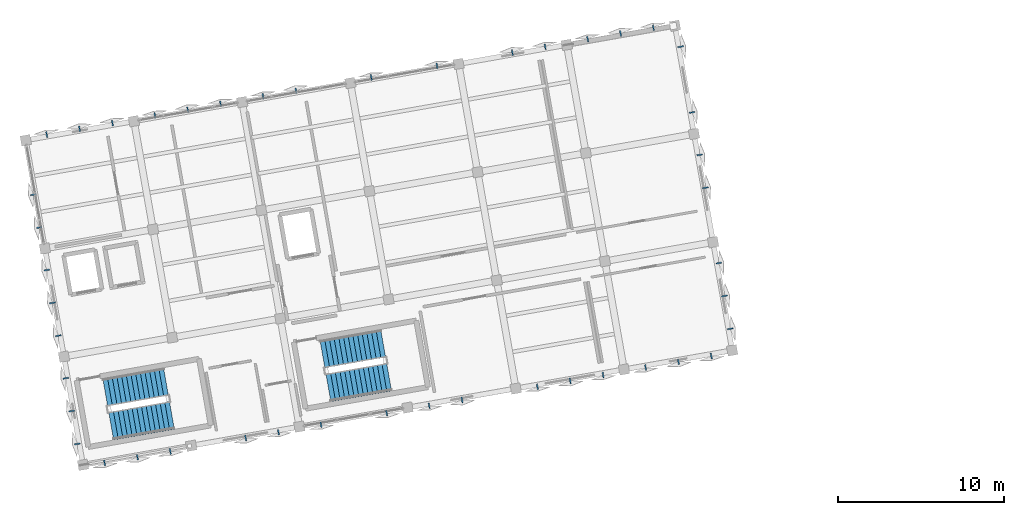
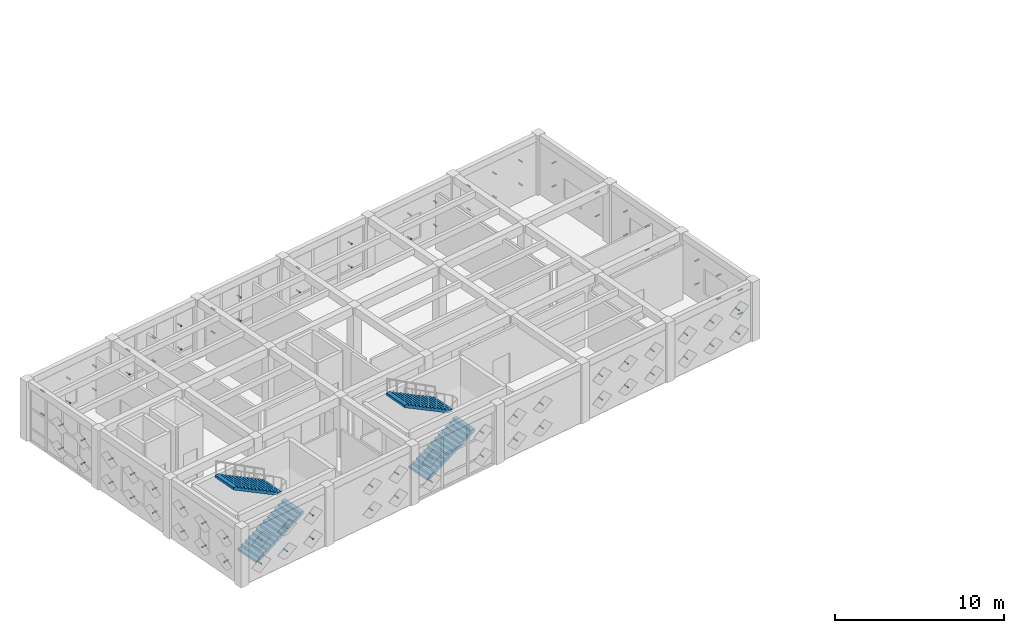
# One storey, part 24 of 29: 90 discrete accessories, 4 stair flights, 2 elements without a shape of their own.
"""IFC4 building model written with IfcOpenShell, lengths in metres."""

from ifc_helpers import new_model, si_unit, direction, frame, origin, origin_2d, place, context, subcontext, project, spatial, polyline, hollow_rectangle, outline, extrude, material, type_object, element, aggregate, save


model = new_model("IFC4")

# Units and contexts
model_context = context("Model", 3, precision=1e-05, world=origin(), true_north=direction((0.0, 1.0)))
body_context = subcontext(model_context, "Body", "Model", "MODEL_VIEW")
ifc_project = project(units=[si_unit("LENGTHUNIT", "METRE"), si_unit("AREAUNIT", "SQUARE_METRE"), si_unit("VOLUMEUNIT", "CUBIC_METRE"), si_unit("PLANEANGLEUNIT", "RADIAN"), si_unit("MASSUNIT", "GRAM", prefix="KILO")], contexts=[model_context])

# Site, building, storey
site_placement = place(None, origin())
site = spatial("IfcSite", under=ifc_project, at=site_placement, CompositionType="ELEMENT")
building_placement = place(site_placement, origin())
building = spatial("IfcBuilding", under=site, at=building_placement, Name="Kharisveld Research Institute", CompositionType="ELEMENT")
storey_placement = place(building_placement, frame((0.0, 0.0, 32.10009765625)))
storey = spatial("IfcBuildingStorey", under=building, at=storey_placement, Name="L07", CompositionType="ELEMENT", Elevation=32.10009765625)

# Stair, stair flights
ifc_material_1 = material(Name="Concrete C40/50", Category="concrete")
stair_type = type_object("IfcStairType", Name="ST_EXIT_170", PredefinedType="TWO_STRAIGHT_RUN_STAIR", material=ifc_material_1)
stair_1_placement = place(storey_placement, origin())
stair_1 = element("IfcStair", 1, at=stair_1_placement, inside=storey, type_object=stair_type, Name="STR:ST1:L07", PredefinedType="TWO_STRAIGHT_RUN_STAIR")
ifc_material_2 = material(Name="Concrete C40/50", Category="concrete")
stair_flight_type = type_object("IfcStairFlightType", Name="SF_RUN_170", PredefinedType="STRAIGHT", material=ifc_material_2)
stair_flight_1_placement = place(storey_placement, frame((6.891357421875, 37.339111328125, 0.0), z_axis=(0.0, 0.0, 1.0), x_axis=(0.984807753012, 0.173648177667, 0.0)))
stair_flight_1 = element("IfcStairFlight", 2, at=stair_flight_1_placement, type_object=stair_flight_type, Name="ST-01 flight 1", NumberOfRisers=14, NumberOfTreads=13, PredefinedType="STRAIGHT", RiserHeight=0.160714, TreadLength=0.285, context=body_context, shape_type="SweptSolid", body=[
    extrude(outline(polyline([(0.0, 0.0), (0.0, 0.16064453125), (0.284912109375, 0.16064453125), (0.284912109375, 0.321533203125), (0.570068359375, 0.321533203125), (0.570068359375, 0.482177734375), (0.85498046875, 0.482177734375), (0.85498046875, 0.642822265625), (1.139892578125, 0.642822265625), (1.139892578125, 0.803466796875), (1.425048828125, 0.803466796875), (1.425048828125, 0.96435546875), (1.7099609375, 0.96435546875), (1.7099609375, 1.125), (1.9951171875, 1.125), (1.9951171875, 1.28564453125), (2.280029296875, 1.28564453125), (2.280029296875, 1.446533203125), (2.56494140625, 1.446533203125), (2.56494140625, 1.607177734375), (2.85009765625, 1.607177734375), (2.85009765625, 1.767822265625), (3.135009765625, 1.767822265625), (3.135009765625, 1.928466796875), (3.419921875, 1.928466796875), (3.419921875, 2.08935546875), (3.705078125, 2.08935546875), (3.705078125, 2.25), (3.705078125, 1.917236328125), (0.30517578125, 0.0), (0.0, 0.0)])), frame((0.0, 0.85009765625, 0.0), z_axis=(0.0, -1.0, 0.0), x_axis=(1.0, 0.0, 0.0)), (0.0, 0.0, 1.0), 1.699951171875),
])
stair_flight_2_placement = place(storey_placement, frame((10.182373046875, 40.01123046875, 2.25), z_axis=(0.0, 0.0, 1.0), x_axis=(-0.984807753012, -0.173648177667, 0.0)))
stair_flight_2 = element("IfcStairFlight", 3, at=stair_flight_2_placement, type_object=stair_flight_type, Name="ST-01 flight 2", NumberOfRisers=14, NumberOfTreads=13, PredefinedType="STRAIGHT", RiserHeight=0.160714, TreadLength=0.285, context=body_context, shape_type="SweptSolid", body=[
    extrude(outline(polyline([(0.0, 0.0), (0.0, 0.16064453125), (0.284912109375, 0.16064453125), (0.284912109375, 0.321533203125), (0.570068359375, 0.321533203125), (0.570068359375, 0.482177734375), (0.85498046875, 0.482177734375), (0.85498046875, 0.642822265625), (1.139892578125, 0.642822265625), (1.139892578125, 0.803466796875), (1.425048828125, 0.803466796875), (1.425048828125, 0.96435546875), (1.7099609375, 0.96435546875), (1.7099609375, 1.125), (1.9951171875, 1.125), (1.9951171875, 1.28564453125), (2.280029296875, 1.28564453125), (2.280029296875, 1.446533203125), (2.56494140625, 1.446533203125), (2.56494140625, 1.607177734375), (2.85009765625, 1.607177734375), (2.85009765625, 1.767822265625), (3.135009765625, 1.767822265625), (3.135009765625, 1.928466796875), (3.419921875, 1.928466796875), (3.419921875, 2.08935546875), (3.705078125, 2.08935546875), (3.705078125, 2.25), (3.705078125, 1.917236328125), (0.30517578125, 0.0), (0.0, 0.0)])), frame((0.0, 0.85009765625, 0.0), z_axis=(0.0, -1.0, 0.0), x_axis=(1.0, 0.0, 0.0)), (0.0, 0.0, 1.0), 1.699951171875),
])
aggregate(stair_1, [stair_flight_1, stair_flight_2])

stair_2_placement = place(storey_placement, origin())
stair_2 = element("IfcStair", 4, at=stair_2_placement, inside=storey, type_object=stair_type, Name="STR:ST2:L07", PredefinedType="TWO_STRAIGHT_RUN_STAIR")
stair_flight_3_placement = place(storey_placement, frame((19.93994140625, 39.639892578125, 0.0), z_axis=(0.0, 0.0, 1.0), x_axis=(0.984807753012, 0.173648177667, 0.0)))
stair_flight_3 = element("IfcStairFlight", 5, at=stair_flight_3_placement, type_object=stair_flight_type, Name="ST-02 flight 1", NumberOfRisers=14, NumberOfTreads=13, PredefinedType="STRAIGHT", RiserHeight=0.160714, TreadLength=0.285, context=body_context, shape_type="SweptSolid", body=[
    extrude(outline(polyline([(0.0, 0.0), (0.0, 0.16064453125), (0.284912109375, 0.16064453125), (0.284912109375, 0.321533203125), (0.570068359375, 0.321533203125), (0.570068359375, 0.482177734375), (0.85498046875, 0.482177734375), (0.85498046875, 0.642822265625), (1.139892578125, 0.642822265625), (1.139892578125, 0.803466796875), (1.425048828125, 0.803466796875), (1.425048828125, 0.96435546875), (1.7099609375, 0.96435546875), (1.7099609375, 1.125), (1.9951171875, 1.125), (1.9951171875, 1.28564453125), (2.280029296875, 1.28564453125), (2.280029296875, 1.446533203125), (2.56494140625, 1.446533203125), (2.56494140625, 1.607177734375), (2.85009765625, 1.607177734375), (2.85009765625, 1.767822265625), (3.135009765625, 1.767822265625), (3.135009765625, 1.928466796875), (3.419921875, 1.928466796875), (3.419921875, 2.08935546875), (3.705078125, 2.08935546875), (3.705078125, 2.25), (3.705078125, 1.917236328125), (0.30517578125, 0.0), (0.0, 0.0)])), frame((0.0, 0.85009765625, 0.0), z_axis=(0.0, -1.0, 0.0), x_axis=(1.0, 0.0, 0.0)), (0.0, 0.0, 1.0), 1.699951171875),
])
stair_flight_4_placement = place(storey_placement, frame((23.23095703125, 42.31201171875, 2.25), z_axis=(0.0, 0.0, 1.0), x_axis=(-0.984807753012, -0.173648177667, 0.0)))
stair_flight_4 = element("IfcStairFlight", 6, at=stair_flight_4_placement, type_object=stair_flight_type, Name="ST-02 flight 2", NumberOfRisers=14, NumberOfTreads=13, PredefinedType="STRAIGHT", RiserHeight=0.160714, TreadLength=0.285, context=body_context, shape_type="SweptSolid", body=[
    extrude(outline(polyline([(0.0, 0.0), (0.0, 0.16064453125), (0.284912109375, 0.16064453125), (0.284912109375, 0.321533203125), (0.570068359375, 0.321533203125), (0.570068359375, 0.482177734375), (0.85498046875, 0.482177734375), (0.85498046875, 0.642822265625), (1.139892578125, 0.642822265625), (1.139892578125, 0.803466796875), (1.425048828125, 0.803466796875), (1.425048828125, 0.96435546875), (1.7099609375, 0.96435546875), (1.7099609375, 1.125), (1.9951171875, 1.125), (1.9951171875, 1.28564453125), (2.280029296875, 1.28564453125), (2.280029296875, 1.446533203125), (2.56494140625, 1.446533203125), (2.56494140625, 1.607177734375), (2.85009765625, 1.607177734375), (2.85009765625, 1.767822265625), (3.135009765625, 1.767822265625), (3.135009765625, 1.928466796875), (3.419921875, 1.928466796875), (3.419921875, 2.08935546875), (3.705078125, 2.08935546875), (3.705078125, 2.25), (3.705078125, 1.917236328125), (0.30517578125, 0.0), (0.0, 0.0)])), frame((0.0, 0.85009765625, 0.0), z_axis=(0.0, -1.0, 0.0), x_axis=(1.0, 0.0, 0.0)), (0.0, 0.0, 1.0), 1.699951171875),
])
aggregate(stair_2, [stair_flight_3, stair_flight_4])

# Discrete accessories
ifc_material_3 = material(Name="Steel S355JR", Category="steel")
discrete_accessory_type = type_object("IfcDiscreteAccessoryType", Name="BKT_ST_260", PredefinedType="BRACKET")
for number, where, z_axis, x_axis, name in (
    (7, (5.033935546875, 36.29736328125, 1.0498046875), (-0.984804615622, -0.173665969752, 0.0), (0.173665969752, -0.984804615622, 0.0), "BKT-SHD:V1:L07:W0:S0C0"),
    (8, (5.033935546875, 36.29736328125, 2.75), (-0.984804615622, -0.173665969752, 0.0), (0.173665969752, -0.984804615622, 0.0), "BKT-SHD:V1:L07:W0:S0C1"),
    (9, (4.68603515625, 38.270263671875, 1.0498046875), (-0.984804615622, -0.173665969752, 0.0), (0.173665969752, -0.984804615622, 0.0), "BKT-SHD:V1:L07:W0:S1C0"),
    (10, (4.68603515625, 38.270263671875, 2.75), (-0.984804615622, -0.173665969752, 0.0), (0.173665969752, -0.984804615622, 0.0), "BKT-SHD:V1:L07:W0:S1C1"),
    (11, (4.338134765625, 40.2431640625, 1.0498046875), (-0.984804615622, -0.173665969752, 0.0), (0.173665969752, -0.984804615622, 0.0), "BKT-SHD:V1:L07:W0:S2C0"),
    (12, (4.338134765625, 40.2431640625, 2.75), (-0.984804615622, -0.173665969752, 0.0), (0.173665969752, -0.984804615622, 0.0), "BKT-SHD:V1:L07:W0:S2C1"),
    (13, (3.887939453125, 42.797119140625, 1.0498046875), (-0.984804615622, -0.173665969752, 0.0), (0.173665969752, -0.984804615622, 0.0), "BKT-SHD:V1:L07:W1:S0C0"),
    (14, (3.887939453125, 42.797119140625, 2.75), (-0.984804615622, -0.173665969752, 0.0), (0.173665969752, -0.984804615622, 0.0), "BKT-SHD:V1:L07:W1:S0C1"),
    (15, (3.5400390625, 44.77001953125, 1.0498046875), (-0.984804615622, -0.173665969752, 0.0), (0.173665969752, -0.984804615622, 0.0), "BKT-SHD:V1:L07:W1:S1C0"),
    (16, (3.5400390625, 44.77001953125, 2.75), (-0.984804615622, -0.173665969752, 0.0), (0.173665969752, -0.984804615622, 0.0), "BKT-SHD:V1:L07:W1:S1C1"),
    (17, (3.192138671875, 46.742919921875, 1.0498046875), (-0.984804615622, -0.173665969752, 0.0), (0.173665969752, -0.984804615622, 0.0), "BKT-SHD:V1:L07:W1:S2C0"),
    (18, (3.192138671875, 46.742919921875, 2.75), (-0.984804615622, -0.173665969752, 0.0), (0.173665969752, -0.984804615622, 0.0), "BKT-SHD:V1:L07:W1:S2C1"),
    (19, (2.74169921875, 49.296875, 1.0498046875), (-0.984804615622, -0.173665969752, 0.0), (0.173665969752, -0.984804615622, 0.0), "BKT-SHD:V1:L07:W2:S0C0"),
    (20, (2.74169921875, 49.296875, 2.75), (-0.984804615622, -0.173665969752, 0.0), (0.173665969752, -0.984804615622, 0.0), "BKT-SHD:V1:L07:W2:S0C1"),
):
    element("IfcDiscreteAccessory", number, at=place(storey_placement, frame(where, z_axis=z_axis, x_axis=x_axis)), inside=storey, type_object=discrete_accessory_type, material=ifc_material_3, Name=name, ObjectType="BRACKET", PredefinedType="BRACKET", context=body_context, shape_type="SweptSolid", body=[
        extrude(hollow_rectangle(XDim=0.080078125, YDim=0.080078125, WallThickness=0.0048828125, at=origin_2d()), origin(), (0.0, 0.0, 1.0), 0.35009765625),
    ])
for number, where, z_axis, x_axis, name in (
    (21, (2.393798828125, 51.269775390625, 1.0498046875), (-0.984783558818, -0.173785333909, 0.0), (0.173785333909, -0.984783558818, 0.0), "BKT-SHD:V1:L07:W2:S1C0"),
    (22, (2.393798828125, 51.269775390625, 2.75), (-0.984783558818, -0.173785333909, 0.0), (0.173785333909, -0.984783558818, 0.0), "BKT-SHD:V1:L07:W2:S1C1"),
):
    element("IfcDiscreteAccessory", number, at=place(storey_placement, frame(where, z_axis=z_axis, x_axis=x_axis)), inside=storey, type_object=discrete_accessory_type, material=ifc_material_3, Name=name, ObjectType="BRACKET", PredefinedType="BRACKET", context=body_context, shape_type="SweptSolid", body=[
        extrude(hollow_rectangle(XDim=0.080078125, YDim=0.080078125, WallThickness=0.0048828125, at=origin_2d()), origin(), (0.0, 0.0, 1.0), 0.349853515625),
    ])
for number, where, z_axis, x_axis, name in (
    (23, (3.049072265625, 54.67529296875, 1.0498046875), (-0.173665969752, 0.984804615622, 0.0), (-0.984804615622, -0.173665969752, 0.0), "BKT-SHD:V1:L07:N0:S0C0"),
    (24, (3.049072265625, 54.67529296875, 2.75), (-0.173665969752, 0.984804615622, 0.0), (-0.984804615622, -0.173665969752, 0.0), "BKT-SHD:V1:L07:N0:S0C1"),
    (25, (5.02197265625, 55.023193359375, 1.0498046875), (-0.173665969752, 0.984804615622, 0.0), (-0.984804615622, -0.173665969752, 0.0), "BKT-SHD:V1:L07:N0:S1C0"),
    (26, (5.02197265625, 55.023193359375, 2.75), (-0.173665969752, 0.984804615622, 0.0), (-0.984804615622, -0.173665969752, 0.0), "BKT-SHD:V1:L07:N0:S1C1"),
    (27, (6.994873046875, 55.37109375, 1.0498046875), (-0.173665969752, 0.984804615622, 0.0), (-0.984804615622, -0.173665969752, 0.0), "BKT-SHD:V1:L07:N0:S2C0"),
    (28, (6.994873046875, 55.37109375, 2.75), (-0.173665969752, 0.984804615622, 0.0), (-0.984804615622, -0.173665969752, 0.0), "BKT-SHD:V1:L07:N0:S2C1"),
    (29, (9.548828125, 55.8212890625, 1.0498046875), (-0.173665969752, 0.984804615622, 0.0), (-0.984804615622, -0.173665969752, 0.0), "BKT-SHD:V1:L07:N1:S0C0"),
    (30, (9.548828125, 55.8212890625, 2.75), (-0.173665969752, 0.984804615622, 0.0), (-0.984804615622, -0.173665969752, 0.0), "BKT-SHD:V1:L07:N1:S0C1"),
    (31, (11.521728515625, 56.169189453125, 1.0498046875), (-0.173665969752, 0.984804615622, 0.0), (-0.984804615622, -0.173665969752, 0.0), "BKT-SHD:V1:L07:N1:S1C0"),
    (32, (11.521728515625, 56.169189453125, 2.75), (-0.173665969752, 0.984804615622, 0.0), (-0.984804615622, -0.173665969752, 0.0), "BKT-SHD:V1:L07:N1:S1C1"),
    (33, (13.49462890625, 56.51708984375, 1.0498046875), (-0.173665969752, 0.984804615622, 0.0), (-0.984804615622, -0.173665969752, 0.0), "BKT-SHD:V1:L07:N1:S2C0"),
    (34, (13.49462890625, 56.51708984375, 2.75), (-0.173665969752, 0.984804615622, 0.0), (-0.984804615622, -0.173665969752, 0.0), "BKT-SHD:V1:L07:N1:S2C1"),
):
    element("IfcDiscreteAccessory", number, at=place(storey_placement, frame(where, z_axis=z_axis, x_axis=x_axis)), inside=storey, type_object=discrete_accessory_type, material=ifc_material_3, Name=name, ObjectType="BRACKET", PredefinedType="BRACKET", context=body_context, shape_type="SweptSolid", body=[
        extrude(hollow_rectangle(XDim=0.080078125, YDim=0.080078125, WallThickness=0.0048828125, at=origin_2d()), origin(), (0.0, 0.0, 1.0), 0.35009765625),
    ])
for number, where, z_axis, x_axis, name in (
    (35, (16.048583984375, 56.967529296875, 1.0498046875), (-0.173785333909, 0.984783558818, 0.0), (-0.984783558818, -0.173785333909, 0.0), "BKT-SHD:V1:L07:N2:S0C0"),
    (36, (16.048583984375, 56.967529296875, 2.75), (-0.173785333909, 0.984783558818, 0.0), (-0.984783558818, -0.173785333909, 0.0), "BKT-SHD:V1:L07:N2:S0C1"),
):
    element("IfcDiscreteAccessory", number, at=place(storey_placement, frame(where, z_axis=z_axis, x_axis=x_axis)), inside=storey, type_object=discrete_accessory_type, material=ifc_material_3, Name=name, ObjectType="BRACKET", PredefinedType="BRACKET", context=body_context, shape_type="SweptSolid", body=[
        extrude(hollow_rectangle(XDim=0.080078125, YDim=0.080078125, WallThickness=0.0048828125, at=origin_2d()), origin(), (0.0, 0.0, 1.0), 0.349853515625),
    ])
for number, where, z_axis, x_axis, name in (
    (37, (18.021484375, 57.315185546875, 1.0498046875), (-0.173665969752, 0.984804615622, 0.0), (-0.984804615622, -0.173665969752, 0.0), "BKT-SHD:V1:L07:N2:S1C0"),
    (38, (18.021484375, 57.315185546875, 2.75), (-0.173665969752, 0.984804615622, 0.0), (-0.984804615622, -0.173665969752, 0.0), "BKT-SHD:V1:L07:N2:S1C1"),
    (39, (22.54833984375, 58.113525390625, 1.0498046875), (-0.173665969752, 0.984804615622, 0.0), (-0.984804615622, -0.173665969752, 0.0), "BKT-SHD:V1:L07:N3:S0C0"),
    (40, (22.54833984375, 58.113525390625, 2.75), (-0.173665969752, 0.984804615622, 0.0), (-0.984804615622, -0.173665969752, 0.0), "BKT-SHD:V1:L07:N3:S0C1"),
    (41, (26.494140625, 58.809326171875, 1.0498046875), (-0.173665969752, 0.984804615622, 0.0), (-0.984804615622, -0.173665969752, 0.0), "BKT-SHD:V1:L07:N3:S2C0"),
    (42, (26.494140625, 58.809326171875, 2.75), (-0.173665969752, 0.984804615622, 0.0), (-0.984804615622, -0.173665969752, 0.0), "BKT-SHD:V1:L07:N3:S2C1"),
    (43, (31.02099609375, 59.607421875, 1.0498046875), (-0.173665969752, 0.984804615622, 0.0), (-0.984804615622, -0.173665969752, 0.0), "BKT-SHD:V1:L07:N4:S1C0"),
    (44, (31.02099609375, 59.607421875, 2.75), (-0.173665969752, 0.984804615622, 0.0), (-0.984804615622, -0.173665969752, 0.0), "BKT-SHD:V1:L07:N4:S1C1"),
    (45, (32.993896484375, 59.955322265625, 1.0498046875), (-0.173665969752, 0.984804615622, 0.0), (-0.984804615622, -0.173665969752, 0.0), "BKT-SHD:V1:L07:N4:S2C0"),
    (46, (32.993896484375, 59.955322265625, 2.75), (-0.173665969752, 0.984804615622, 0.0), (-0.984804615622, -0.173665969752, 0.0), "BKT-SHD:V1:L07:N4:S2C1"),
):
    element("IfcDiscreteAccessory", number, at=place(storey_placement, frame(where, z_axis=z_axis, x_axis=x_axis)), inside=storey, type_object=discrete_accessory_type, material=ifc_material_3, Name=name, ObjectType="BRACKET", PredefinedType="BRACKET", context=body_context, shape_type="SweptSolid", body=[
        extrude(hollow_rectangle(XDim=0.080078125, YDim=0.080078125, WallThickness=0.0048828125, at=origin_2d()), origin(), (0.0, 0.0, 1.0), 0.35009765625),
    ])
for number, where, z_axis, x_axis, name in (
    (47, (35.5478515625, 60.40576171875, 1.0498046875), (-0.173785333909, 0.984783558818, 0.0), (-0.984783558818, -0.173785333909, 0.0), "BKT-SHD:V1:L07:N5:S0C0"),
    (48, (35.5478515625, 60.40576171875, 2.75), (-0.173785333909, 0.984783558818, 0.0), (-0.984783558818, -0.173785333909, 0.0), "BKT-SHD:V1:L07:N5:S0C1"),
):
    element("IfcDiscreteAccessory", number, at=place(storey_placement, frame(where, z_axis=z_axis, x_axis=x_axis)), inside=storey, type_object=discrete_accessory_type, material=ifc_material_3, Name=name, ObjectType="BRACKET", PredefinedType="BRACKET", context=body_context, shape_type="SweptSolid", body=[
        extrude(hollow_rectangle(XDim=0.080078125, YDim=0.080078125, WallThickness=0.0048828125, at=origin_2d()), origin(), (0.0, 0.0, 1.0), 0.349853515625),
    ])
for number, where, z_axis, x_axis, name in (
    (49, (37.520751953125, 60.75341796875, 1.0498046875), (-0.173665969752, 0.984804615622, 0.0), (-0.984804615622, -0.173665969752, 0.0), "BKT-SHD:V1:L07:N5:S1C0"),
    (50, (37.520751953125, 60.75341796875, 2.75), (-0.173665969752, 0.984804615622, 0.0), (-0.984804615622, -0.173665969752, 0.0), "BKT-SHD:V1:L07:N5:S1C1"),
    (51, (39.49365234375, 61.101318359375, 1.0498046875), (-0.173665969752, 0.984804615622, 0.0), (-0.984804615622, -0.173665969752, 0.0), "BKT-SHD:V1:L07:N5:S2C0"),
    (52, (39.49365234375, 61.101318359375, 2.75), (-0.173665969752, 0.984804615622, 0.0), (-0.984804615622, -0.173665969752, 0.0), "BKT-SHD:V1:L07:N5:S2C1"),
    (53, (40.92626953125, 60.098388671875, 1.0498046875), (0.984923681133, 0.172989428414, 0.0), (-0.172989428414, 0.984923681133, 0.0), "BKT-SHD:V1:L07:E3:S0C0"),
    (54, (40.92626953125, 60.098388671875, 2.75), (0.984923681133, 0.172989428414, 0.0), (-0.172989428414, 0.984923681133, 0.0), "BKT-SHD:V1:L07:E3:S0C1"),
):
    element("IfcDiscreteAccessory", number, at=place(storey_placement, frame(where, z_axis=z_axis, x_axis=x_axis)), inside=storey, type_object=discrete_accessory_type, material=ifc_material_3, Name=name, ObjectType="BRACKET", PredefinedType="BRACKET", context=body_context, shape_type="SweptSolid", body=[
        extrude(hollow_rectangle(XDim=0.080078125, YDim=0.080078125, WallThickness=0.0048828125, at=origin_2d()), origin(), (0.0, 0.0, 1.0), 0.35009765625),
    ])
for number, where, z_axis, x_axis, name in (
    (55, (41.6220703125, 56.152587890625, 1.0498046875), (0.984902785538, 0.173108356353, 0.0), (-0.173108356353, 0.984902785538, 0.0), "BKT-SHD:V1:L07:E3:S2C0"),
    (56, (41.6220703125, 56.152587890625, 2.75), (0.984902785538, 0.173108356353, 0.0), (-0.173108356353, 0.984902785538, 0.0), "BKT-SHD:V1:L07:E3:S2C1"),
):
    element("IfcDiscreteAccessory", number, at=place(storey_placement, frame(where, z_axis=z_axis, x_axis=x_axis)), inside=storey, type_object=discrete_accessory_type, material=ifc_material_3, Name=name, ObjectType="BRACKET", PredefinedType="BRACKET", context=body_context, shape_type="SweptSolid", body=[
        extrude(hollow_rectangle(XDim=0.080078125, YDim=0.080078125, WallThickness=0.0048828125, at=origin_2d()), origin(), (0.0, 0.0, 1.0), 0.349853515625),
    ])
for number, where, z_axis, x_axis, name in (
    (57, (42.072265625, 53.5986328125, 1.0498046875), (0.984804615622, 0.173665969752, 0.0), (-0.173665969752, 0.984804615622, 0.0), "BKT-SHD:V1:L07:E2:S0C0"),
    (58, (42.072265625, 53.5986328125, 2.75), (0.984804615622, 0.173665969752, 0.0), (-0.173665969752, 0.984804615622, 0.0), "BKT-SHD:V1:L07:E2:S0C1"),
    (59, (42.420166015625, 51.625732421875, 1.0498046875), (0.984804615622, 0.173665969752, 0.0), (-0.173665969752, 0.984804615622, 0.0), "BKT-SHD:V1:L07:E2:S1C0"),
    (60, (42.420166015625, 51.625732421875, 2.75), (0.984804615622, 0.173665969752, 0.0), (-0.173665969752, 0.984804615622, 0.0), "BKT-SHD:V1:L07:E2:S1C1"),
):
    element("IfcDiscreteAccessory", number, at=place(storey_placement, frame(where, z_axis=z_axis, x_axis=x_axis)), inside=storey, type_object=discrete_accessory_type, material=ifc_material_3, Name=name, ObjectType="BRACKET", PredefinedType="BRACKET", context=body_context, shape_type="SweptSolid", body=[
        extrude(hollow_rectangle(XDim=0.080078125, YDim=0.080078125, WallThickness=0.0048828125, at=origin_2d()), origin(), (0.0, 0.0, 1.0), 0.35009765625),
    ])
for number, where, z_axis, x_axis, name in (
    (61, (43.218505859375, 47.098876953125, 1.0498046875), (0.984783558818, 0.173785333909, 0.0), (-0.173785333909, 0.984783558818, 0.0), "BKT-SHD:V1:L07:E1:S0C0"),
    (62, (43.218505859375, 47.098876953125, 2.75), (0.984783558818, 0.173785333909, 0.0), (-0.173785333909, 0.984783558818, 0.0), "BKT-SHD:V1:L07:E1:S0C1"),
):
    element("IfcDiscreteAccessory", number, at=place(storey_placement, frame(where, z_axis=z_axis, x_axis=x_axis)), inside=storey, type_object=discrete_accessory_type, material=ifc_material_3, Name=name, ObjectType="BRACKET", PredefinedType="BRACKET", context=body_context, shape_type="SweptSolid", body=[
        extrude(hollow_rectangle(XDim=0.080078125, YDim=0.080078125, WallThickness=0.0048828125, at=origin_2d()), origin(), (0.0, 0.0, 1.0), 0.349853515625),
    ])
for number, where, z_axis, x_axis, name in (
    (63, (43.566162109375, 45.1259765625, 1.0498046875), (0.984804615622, 0.173665969752, 0.0), (-0.173665969752, 0.984804615622, 0.0), "BKT-SHD:V1:L07:E1:S1C0"),
    (64, (43.566162109375, 45.1259765625, 2.75), (0.984804615622, 0.173665969752, 0.0), (-0.173665969752, 0.984804615622, 0.0), "BKT-SHD:V1:L07:E1:S1C1"),
    (65, (43.9140625, 43.153076171875, 1.0498046875), (0.984804615622, 0.173665969752, 0.0), (-0.173665969752, 0.984804615622, 0.0), "BKT-SHD:V1:L07:E1:S2C0"),
    (66, (43.9140625, 43.153076171875, 2.75), (0.984804615622, 0.173665969752, 0.0), (-0.173665969752, 0.984804615622, 0.0), "BKT-SHD:V1:L07:E1:S2C1"),
    (67, (42.910888671875, 41.720458984375, 1.0498046875), (0.173665969752, -0.984804615622, 0.0), (0.984804615622, 0.173665969752, 0.0), "BKT-SHD:V1:L07:S6:S0C0"),
    (68, (42.910888671875, 41.720458984375, 2.75), (0.173665969752, -0.984804615622, 0.0), (0.984804615622, 0.173665969752, 0.0), "BKT-SHD:V1:L07:S6:S0C1"),
    (69, (40.93798828125, 41.37255859375, 1.0498046875), (0.173665969752, -0.984804615622, 0.0), (0.984804615622, 0.173665969752, 0.0), "BKT-SHD:V1:L07:S6:S1C0"),
    (70, (40.93798828125, 41.37255859375, 2.75), (0.173665969752, -0.984804615622, 0.0), (0.984804615622, 0.173665969752, 0.0), "BKT-SHD:V1:L07:S6:S1C1"),
    (71, (38.965087890625, 41.024658203125, 1.0498046875), (0.173665969752, -0.984804615622, 0.0), (0.984804615622, 0.173665969752, 0.0), "BKT-SHD:V1:L07:S6:S2C0"),
    (72, (38.965087890625, 41.024658203125, 2.75), (0.173665969752, -0.984804615622, 0.0), (0.984804615622, 0.173665969752, 0.0), "BKT-SHD:V1:L07:S6:S2C1"),
):
    element("IfcDiscreteAccessory", number, at=place(storey_placement, frame(where, z_axis=z_axis, x_axis=x_axis)), inside=storey, type_object=discrete_accessory_type, material=ifc_material_3, Name=name, ObjectType="BRACKET", PredefinedType="BRACKET", context=body_context, shape_type="SweptSolid", body=[
        extrude(hollow_rectangle(XDim=0.080078125, YDim=0.080078125, WallThickness=0.0048828125, at=origin_2d()), origin(), (0.0, 0.0, 1.0), 0.35009765625),
    ])
for number, where, z_axis, x_axis, name in (
    (73, (36.411376953125, 40.57421875, 1.0498046875), (0.173785333909, -0.984783558818, 0.0), (0.984783558818, 0.173785333909, 0.0), "BKT-SHD:V1:L07:S5:S0C0"),
    (74, (36.411376953125, 40.57421875, 2.75), (0.173785333909, -0.984783558818, 0.0), (0.984783558818, 0.173785333909, 0.0), "BKT-SHD:V1:L07:S5:S0C1"),
    (75, (34.4384765625, 40.226318359375, 1.0498046875), (0.173785333909, -0.984783558818, 0.0), (0.984783558818, 0.173785333909, 0.0), "BKT-SHD:V1:L07:S5:S1C0"),
    (76, (34.4384765625, 40.226318359375, 2.75), (0.173785333909, -0.984783558818, 0.0), (0.984783558818, 0.173785333909, 0.0), "BKT-SHD:V1:L07:S5:S1C1"),
):
    element("IfcDiscreteAccessory", number, at=place(storey_placement, frame(where, z_axis=z_axis, x_axis=x_axis)), inside=storey, type_object=discrete_accessory_type, material=ifc_material_3, Name=name, ObjectType="BRACKET", PredefinedType="BRACKET", context=body_context, shape_type="SweptSolid", body=[
        extrude(hollow_rectangle(XDim=0.080078125, YDim=0.080078125, WallThickness=0.0048828125, at=origin_2d()), origin(), (0.0, 0.0, 1.0), 0.349853515625),
    ])
for number, where, z_axis, x_axis, name in (
    (77, (32.465576171875, 39.878662109375, 1.0498046875), (0.173665969752, -0.984804615622, 0.0), (0.984804615622, 0.173665969752, 0.0), "BKT-SHD:V1:L07:S5:S2C0"),
    (78, (32.465576171875, 39.878662109375, 2.75), (0.173665969752, -0.984804615622, 0.0), (0.984804615622, 0.173665969752, 0.0), "BKT-SHD:V1:L07:S5:S2C1"),
    (79, (27.938720703125, 39.080322265625, 1.0498046875), (0.173665969752, -0.984804615622, 0.0), (0.984804615622, 0.173665969752, 0.0), "BKT-SHD:V1:L07:S4:S1C0"),
    (80, (27.938720703125, 39.080322265625, 2.75), (0.173665969752, -0.984804615622, 0.0), (0.984804615622, 0.173665969752, 0.0), "BKT-SHD:V1:L07:S4:S1C1"),
    (81, (25.9658203125, 38.732421875, 1.0498046875), (0.173665969752, -0.984804615622, 0.0), (0.984804615622, 0.173665969752, 0.0), "BKT-SHD:V1:L07:S4:S2C0"),
    (82, (25.9658203125, 38.732421875, 2.75), (0.173665969752, -0.984804615622, 0.0), (0.984804615622, 0.173665969752, 0.0), "BKT-SHD:V1:L07:S4:S2C1"),
    (83, (23.411865234375, 38.2822265625, 1.0498046875), (0.173665969752, -0.984804615622, 0.0), (0.984804615622, 0.173665969752, 0.0), "BKT-SHD:V1:L07:S3:S0C0"),
    (84, (23.411865234375, 38.2822265625, 2.75), (0.173665969752, -0.984804615622, 0.0), (0.984804615622, 0.173665969752, 0.0), "BKT-SHD:V1:L07:S3:S0C1"),
    (85, (19.466064453125, 37.58642578125, 1.0498046875), (0.173665969752, -0.984804615622, 0.0), (0.984804615622, 0.173665969752, 0.0), "BKT-SHD:V1:L07:S3:S2C0"),
    (86, (19.466064453125, 37.58642578125, 2.75), (0.173665969752, -0.984804615622, 0.0), (0.984804615622, 0.173665969752, 0.0), "BKT-SHD:V1:L07:S3:S2C1"),
):
    element("IfcDiscreteAccessory", number, at=place(storey_placement, frame(where, z_axis=z_axis, x_axis=x_axis)), inside=storey, type_object=discrete_accessory_type, material=ifc_material_3, Name=name, ObjectType="BRACKET", PredefinedType="BRACKET", context=body_context, shape_type="SweptSolid", body=[
        extrude(hollow_rectangle(XDim=0.080078125, YDim=0.080078125, WallThickness=0.0048828125, at=origin_2d()), origin(), (0.0, 0.0, 1.0), 0.35009765625),
    ])
for number, where, z_axis, x_axis, name in (
    (87, (16.912109375, 37.135986328125, 1.0498046875), (0.173785333909, -0.984783558818, 0.0), (0.984783558818, 0.173785333909, 0.0), "BKT-SHD:V1:L07:S2:S0C0"),
    (88, (16.912109375, 37.135986328125, 2.75), (0.173785333909, -0.984783558818, 0.0), (0.984783558818, 0.173785333909, 0.0), "BKT-SHD:V1:L07:S2:S0C1"),
    (89, (14.939208984375, 36.7880859375, 1.0498046875), (0.173785333909, -0.984783558818, 0.0), (0.984783558818, 0.173785333909, 0.0), "BKT-SHD:V1:L07:S2:S1C0"),
    (90, (14.939208984375, 36.7880859375, 2.75), (0.173785333909, -0.984783558818, 0.0), (0.984783558818, 0.173785333909, 0.0), "BKT-SHD:V1:L07:S2:S1C1"),
):
    element("IfcDiscreteAccessory", number, at=place(storey_placement, frame(where, z_axis=z_axis, x_axis=x_axis)), inside=storey, type_object=discrete_accessory_type, material=ifc_material_3, Name=name, ObjectType="BRACKET", PredefinedType="BRACKET", context=body_context, shape_type="SweptSolid", body=[
        extrude(hollow_rectangle(XDim=0.080078125, YDim=0.080078125, WallThickness=0.0048828125, at=origin_2d()), origin(), (0.0, 0.0, 1.0), 0.349853515625),
    ])
for number, where, z_axis, x_axis, name in (
    (91, (10.412353515625, 35.989990234375, 1.0498046875), (0.173665969752, -0.984804615622, 0.0), (0.984804615622, 0.173665969752, 0.0), "BKT-SHD:V1:L07:S1:S0C0"),
    (92, (10.412353515625, 35.989990234375, 2.75), (0.173665969752, -0.984804615622, 0.0), (0.984804615622, 0.173665969752, 0.0), "BKT-SHD:V1:L07:S1:S0C1"),
    (93, (8.439453125, 35.64208984375, 1.0498046875), (0.173665969752, -0.984804615622, 0.0), (0.984804615622, 0.173665969752, 0.0), "BKT-SHD:V1:L07:S1:S1C0"),
    (94, (8.439453125, 35.64208984375, 2.75), (0.173665969752, -0.984804615622, 0.0), (0.984804615622, 0.173665969752, 0.0), "BKT-SHD:V1:L07:S1:S1C1"),
    (95, (6.466552734375, 35.294189453125, 1.0498046875), (0.173665969752, -0.984804615622, 0.0), (0.984804615622, 0.173665969752, 0.0), "BKT-SHD:V1:L07:S1:S2C0"),
    (96, (6.466552734375, 35.294189453125, 2.75), (0.173665969752, -0.984804615622, 0.0), (0.984804615622, 0.173665969752, 0.0), "BKT-SHD:V1:L07:S1:S2C1"),
):
    element("IfcDiscreteAccessory", number, at=place(storey_placement, frame(where, z_axis=z_axis, x_axis=x_axis)), inside=storey, type_object=discrete_accessory_type, material=ifc_material_3, Name=name, ObjectType="BRACKET", PredefinedType="BRACKET", context=body_context, shape_type="SweptSolid", body=[
        extrude(hollow_rectangle(XDim=0.080078125, YDim=0.080078125, WallThickness=0.0048828125, at=origin_2d()), origin(), (0.0, 0.0, 1.0), 0.35009765625),
    ])

save(model, "model.ifc")
